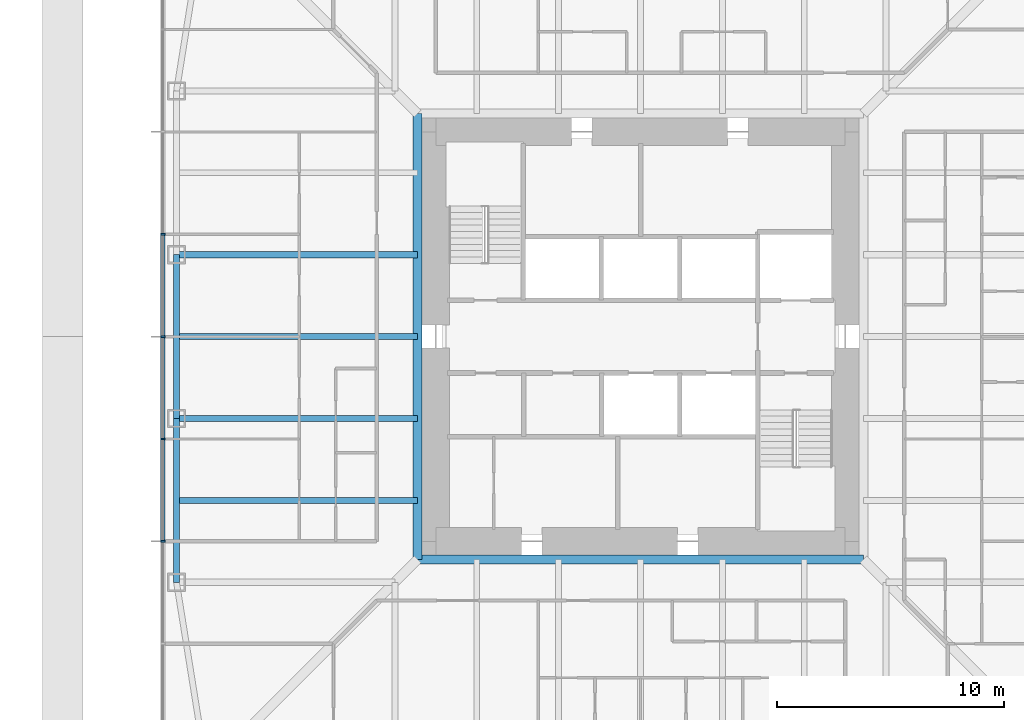
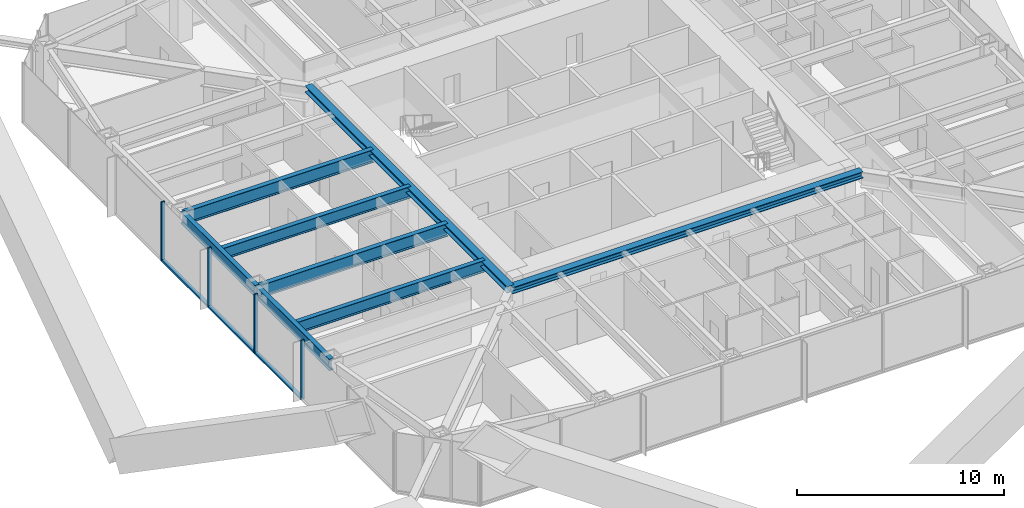
# One storey, part 3 of 17: 8 beams, 7 members, 1 element without a shape of its own.
"""IFC4 building model written with IfcOpenShell, lengths in metres."""

from ifc_helpers import new_model, si_unit, direction, frame, origin, origin_2d, place, context, subcontext, project, spatial, rectangle, i_section, extrude, material, material_profile, profile_set, type_object, element, aggregate, save


model = new_model("IFC4")

# Units and contexts
model_context = context("Model", 3, precision=1e-05, world=origin(), true_north=direction((0.0, 1.0)))
body_context = subcontext(model_context, "Body", "Model", "MODEL_VIEW")
ifc_project = project(units=[si_unit("LENGTHUNIT", "METRE"), si_unit("AREAUNIT", "SQUARE_METRE"), si_unit("VOLUMEUNIT", "CUBIC_METRE"), si_unit("PLANEANGLEUNIT", "RADIAN"), si_unit("MASSUNIT", "GRAM", prefix="KILO")], contexts=[model_context])

# Site, building, storey
site_placement = place(None, origin())
site = spatial("IfcSite", under=ifc_project, at=site_placement, CompositionType="ELEMENT")
building_placement = place(site_placement, origin())
building = spatial("IfcBuilding", under=site, at=building_placement, Name="Iwan Alto Co-Living Towers", CompositionType="ELEMENT")
storey_placement = place(building_placement, frame((0.0, 0.0, 133.0)))
storey = spatial("IfcBuildingStorey", under=building, at=storey_placement, Name="L36", CompositionType="ELEMENT", Elevation=133.0)

# Curtain wall, members
ifc_material_1 = material(Name="Bronze aluminium unitised frame", Category="aluminium")
curtain_wall_type = type_object("IfcCurtainWallType", Name="CURTAIN WALL CW-A", PredefinedType="NOTDEFINED", material=ifc_material_1)
curtain_wall_placement = place(storey_placement, origin())
curtain_wall = element("IfcCurtainWall", 1, at=curtain_wall_placement, inside=storey, type_object=curtain_wall_type, Name="T1 curtain wall W L36", PredefinedType="NOTDEFINED")
ifc_material_2 = material(Name="Aluminium 6063-T6 bronze anodised", Category="aluminium")
ifc_material_profile_1 = material_profile(ifc_material_2, rectangle(XDim=0.199951171875, YDim=0.080078125, at=origin_2d()), Name="AL 80X200")
ifc_profile_set_1 = profile_set([ifc_material_profile_1], Name="Aluminium 6063-T6 bronze anodised")
member_type_1 = type_object("IfcMemberType", Name="CW-A MULLION 80X200", PredefinedType="MULLION", material=ifc_profile_set_1)
member_1_placement = place(storey_placement, frame((-21.0, 4.5, 0.0), z_axis=(0.0, 0.0, 1.0), x_axis=(1.0, 0.0, 0.0)))
member_1 = element("IfcMember", 2, at=member_1_placement, type_object=member_type_1, Name="CW-A mullion 4", PredefinedType="MULLION", context=body_context, shape_type="SweptSolid", body=[
    extrude(rectangle(XDim=0.199951171875, YDim=0.080078125, at=origin_2d()), origin(), (0.0, 0.0, 1.0), 3.5),
])
member_2_placement = place(storey_placement, frame((-21.0, 0.0, 0.0), z_axis=(0.0, 0.0, 1.0), x_axis=(1.0, 0.0, 0.0)))
member_2 = element("IfcMember", 3, at=member_2_placement, type_object=member_type_1, Name="CW-A mullion 5", PredefinedType="MULLION", context=body_context, shape_type="SweptSolid", body=[
    extrude(rectangle(XDim=0.199951171875, YDim=0.080078125, at=origin_2d()), origin(), (0.0, 0.0, 1.0), 3.5),
])
member_3_placement = place(storey_placement, frame((-21.0, -4.5, 0.0), z_axis=(0.0, 0.0, 1.0), x_axis=(1.0, 0.0, 0.0)))
member_3 = element("IfcMember", 4, at=member_3_placement, type_object=member_type_1, Name="CW-A mullion 6", PredefinedType="MULLION", context=body_context, shape_type="SweptSolid", body=[
    extrude(rectangle(XDim=0.199951171875, YDim=0.080078125, at=origin_2d()), origin(), (0.0, 0.0, 1.0), 3.5),
])
member_4_placement = place(storey_placement, frame((-21.0, -9.0, 0.0), z_axis=(0.0, 0.0, 1.0), x_axis=(1.0, 0.0, 0.0)))
member_4 = element("IfcMember", 5, at=member_4_placement, type_object=member_type_1, Name="CW-A mullion 7", PredefinedType="MULLION", context=body_context, shape_type="SweptSolid", body=[
    extrude(rectangle(XDim=0.199951171875, YDim=0.080078125, at=origin_2d()), origin(), (0.0, 0.0, 1.0), 3.5),
])
ifc_material_3 = material(Name="Aluminium 6063-T6 bronze anodised", Category="aluminium")
ifc_material_profile_2 = material_profile(ifc_material_3, rectangle(XDim=0.199951171875, YDim=0.10009765625, at=origin_2d()), Name="AL 200X100")
ifc_profile_set_2 = profile_set([ifc_material_profile_2], Name="Aluminium 6063-T6 bronze anodised")
member_type_2 = type_object("IfcMemberType", Name="CW-A TRANSOM 200X100", PredefinedType="USERDEFINED", material=ifc_profile_set_2)
member_5_placement = place(storey_placement, frame((-21.0, 4.4599609375, 0.050048828125), z_axis=(0.0, -1.0, 0.0), x_axis=(1.0, 0.0, 0.0)))
member_5 = element("IfcMember", 6, at=member_5_placement, type_object=member_type_2, Name="CW-A transom 4.1", ObjectType="TRANSOM", PredefinedType="USERDEFINED", context=body_context, shape_type="SweptSolid", body=[
    extrude(rectangle(XDim=0.199951171875, YDim=0.10009765625, at=origin_2d()), origin(), (0.0, 0.0, 1.0), 4.419921875),
])
member_6_placement = place(storey_placement, frame((-21.0, -0.0400390625, 0.050048828125), z_axis=(0.0, -1.0, 0.0), x_axis=(1.0, 0.0, 0.0)))
member_6 = element("IfcMember", 7, at=member_6_placement, type_object=member_type_2, Name="CW-A transom 5.1", ObjectType="TRANSOM", PredefinedType="USERDEFINED", context=body_context, shape_type="SweptSolid", body=[
    extrude(rectangle(XDim=0.199951171875, YDim=0.10009765625, at=origin_2d()), origin(), (0.0, 0.0, 1.0), 4.419921875),
])
member_7_placement = place(storey_placement, frame((-21.0, -4.5400390625, 0.050048828125), z_axis=(0.0, -1.0, 0.0), x_axis=(1.0, 0.0, 0.0)))
member_7 = element("IfcMember", 8, at=member_7_placement, type_object=member_type_2, Name="CW-A transom 6.1", ObjectType="TRANSOM", PredefinedType="USERDEFINED", context=body_context, shape_type="SweptSolid", body=[
    extrude(rectangle(XDim=0.199951171875, YDim=0.10009765625, at=origin_2d()), origin(), (0.0, 0.0, 1.0), 4.419921875),
])
aggregate(curtain_wall, [member_1, member_2, member_3, member_4, member_5, member_6, member_7])

# Beams
ifc_material_4 = material(Name="Steel ASTM A992 Gr 50", Category="steel")
ifc_material_profile_3 = material_profile(ifc_material_4, i_section(OverallWidth=0.398681640625, OverallDepth=0.385986328125, WebThickness=0.02099609375, FlangeThickness=0.033203125, at=origin_2d()), Name="W14X176")
ifc_profile_set_3 = profile_set([ifc_material_profile_3], Name="Steel ASTM A992 Gr 50")
beam_type_1 = type_object("IfcBeamType", Name="T1 CORE LEDGER BEAM W14X176", PredefinedType="BEAM", material=ifc_profile_set_3)
for number, where, z_axis, x_axis, name in (
    (9, (-9.79931640625, -9.79931640625, 3.076904296875), (1.0, 0.0, 0.0), (0.0, 1.0, 0.0), "T1 core ledger beam S L37"),
    (10, (-9.79931640625, 9.79931640625, 3.076904296875), (0.0, -1.0, 0.0), (1.0, 0.0, 0.0), "T1 core ledger beam W L37"),
):
    element("IfcBeam", number, at=place(storey_placement, frame(where, z_axis=z_axis, x_axis=x_axis)), inside=storey, type_object=beam_type_1, Name=name, PredefinedType="BEAM", context=body_context, shape_type="SweptSolid", body=[
        extrude(i_section(OverallWidth=0.398681640625, OverallDepth=0.385986328125, WebThickness=0.02099609375, FlangeThickness=0.033203125, at=origin_2d()), origin(), (0.0, 0.0, 1.0), 19.5986328125),
    ])
ifc_material_5 = material(Name="Steel ASTM A992 Gr 50", Category="steel")
ifc_material_profile_4 = material_profile(ifc_material_5, i_section(OverallWidth=0.25390625, OverallDepth=0.683349609375, WebThickness=0.012451171875, FlangeThickness=0.018798828125, at=origin_2d()), Name="W27X94")
ifc_profile_set_4 = profile_set([ifc_material_profile_4], Name="Steel ASTM A992 Gr 50")
beam_type_2 = type_object("IfcBeamType", Name="T1 EDGE BEAM W27X94", PredefinedType="BEAM", material=ifc_profile_set_4)
beam_1_placement = place(storey_placement, frame((-20.39990234375, 3.60009765625, 2.928466796875), z_axis=(0.0, -1.0, 0.0), x_axis=(1.0, 0.0, 0.0)))
element("IfcBeam", 11, at=beam_1_placement, inside=storey, type_object=beam_type_2, Name="T1 edge beam W2 L37", PredefinedType="BEAM", context=body_context, shape_type="SweptSolid", body=[
    extrude(i_section(OverallWidth=0.25390625, OverallDepth=0.683349609375, WebThickness=0.012451171875, FlangeThickness=0.018798828125, at=origin_2d()), origin(), (0.0, 0.0, 1.0), 7.2001953125),
])
beam_2_placement = place(storey_placement, frame((-20.39990234375, -3.60009765625, 2.928466796875), z_axis=(0.0, -1.0, 0.0), x_axis=(1.0, 0.0, 0.0)))
element("IfcBeam", 12, at=beam_2_placement, inside=storey, type_object=beam_type_2, Name="T1 edge beam W3 L37", PredefinedType="BEAM", context=body_context, shape_type="SweptSolid", body=[
    extrude(i_section(OverallWidth=0.25390625, OverallDepth=0.683349609375, WebThickness=0.012451171875, FlangeThickness=0.018798828125, at=origin_2d()), origin(), (0.0, 0.0, 1.0), 7.199951171875),
])
ifc_material_6 = material(Name="Steel ASTM A992 Gr 50", Category="steel")
ifc_material_profile_5 = material_profile(ifc_material_6, i_section(OverallWidth=0.2666015625, OverallDepth=0.761962890625, WebThickness=0.014404296875, FlangeThickness=0.021484375, at=origin_2d()), Name="W30X116")
ifc_profile_set_5 = profile_set([ifc_material_profile_5], Name="Steel ASTM A992 Gr 50")
beam_type_3 = type_object("IfcBeamType", Name="T1 RADIAL BEAM W30X116", PredefinedType="BEAM", material=ifc_profile_set_5)
for number, where, z_axis, x_axis, name in (
    (13, (-20.39990234375, 3.60009765625, 2.888916015625), (1.0, 0.0, 0.0), (0.0, 1.0, 0.0), "T1 radial beam W2 L37"),
    (14, (-20.39990234375, -3.60009765625, 2.888916015625), (1.0, 0.0, 0.0), (0.0, 1.0, 0.0), "T1 radial beam W3 L37"),
):
    element("IfcBeam", number, at=place(storey_placement, frame(where, z_axis=z_axis, x_axis=x_axis)), inside=storey, type_object=beam_type_3, Name=name, PredefinedType="BEAM", context=body_context, shape_type="SweptSolid", body=[
        extrude(i_section(OverallWidth=0.2666015625, OverallDepth=0.761962890625, WebThickness=0.014404296875, FlangeThickness=0.021484375, at=origin_2d()), origin(), (0.0, 0.0, 1.0), 10.6005859375),
    ])
ifc_material_7 = material(Name="Steel ASTM A992 Gr 50", Category="steel")
ifc_material_profile_6 = material_profile(ifc_material_7, i_section(OverallWidth=0.25390625, OverallDepth=0.683349609375, WebThickness=0.012451171875, FlangeThickness=0.018798828125, at=origin_2d()), Name="W27X94")
ifc_profile_set_6 = profile_set([ifc_material_profile_6], Name="Steel ASTM A992 Gr 50")
beam_type_4 = type_object("IfcBeamType", Name="T1 SECONDARY BEAM W27X94", PredefinedType="JOIST", material=ifc_profile_set_6)
for number, where, z_axis, x_axis, name in (
    (15, (-20.39990234375, 0.0, 2.928466796875), (1.0, 0.0, 0.0), (0.0, 1.0, 0.0), "T1 secondary beam W2 L37"),
    (16, (-20.39990234375, -7.199951171875, 2.928466796875), (1.0, 0.0, 0.0), (0.0, 1.0, 0.0), "T1 secondary beam W3 L37"),
):
    element("IfcBeam", number, at=place(storey_placement, frame(where, z_axis=z_axis, x_axis=x_axis)), inside=storey, type_object=beam_type_4, Name=name, PredefinedType="JOIST", context=body_context, shape_type="SweptSolid", body=[
        extrude(i_section(OverallWidth=0.25390625, OverallDepth=0.683349609375, WebThickness=0.012451171875, FlangeThickness=0.018798828125, at=origin_2d()), origin(), (0.0, 0.0, 1.0), 10.6005859375),
    ])

save(model, "model.ifc")
